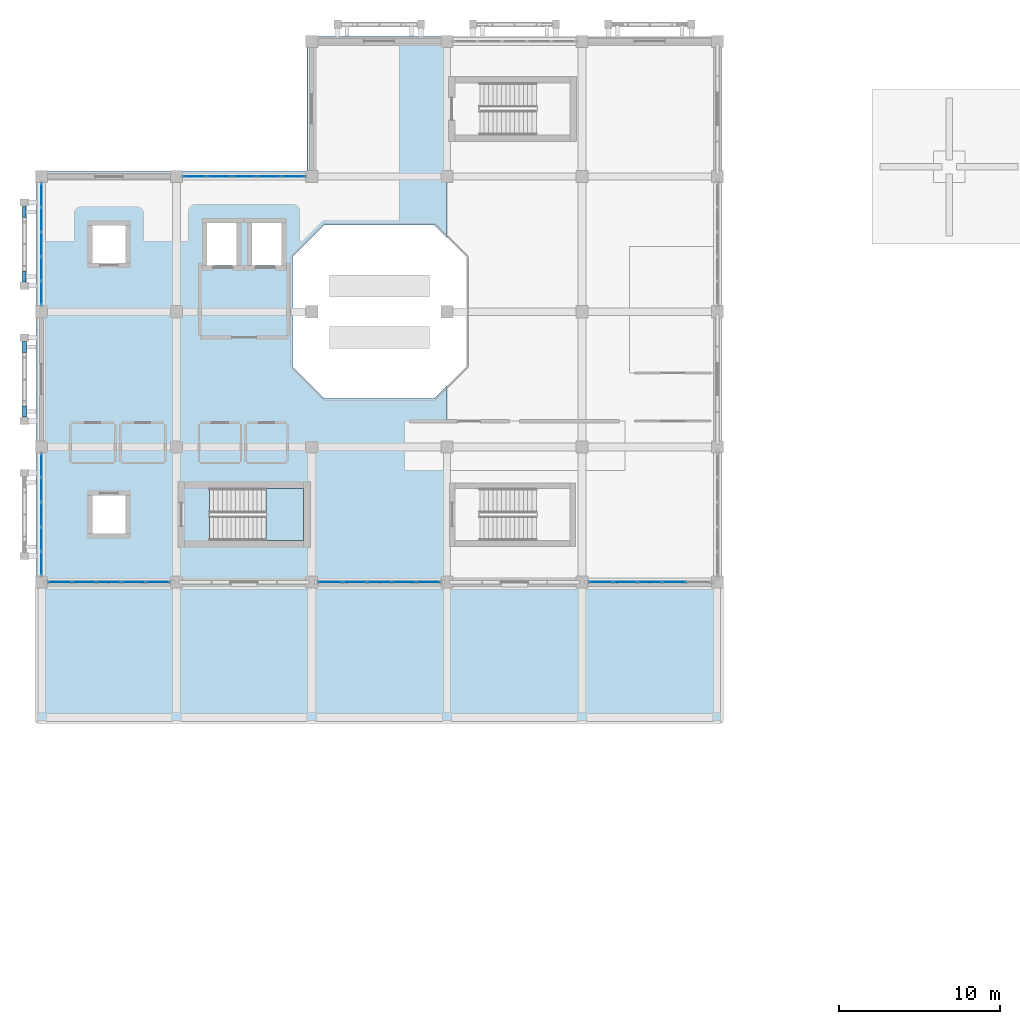
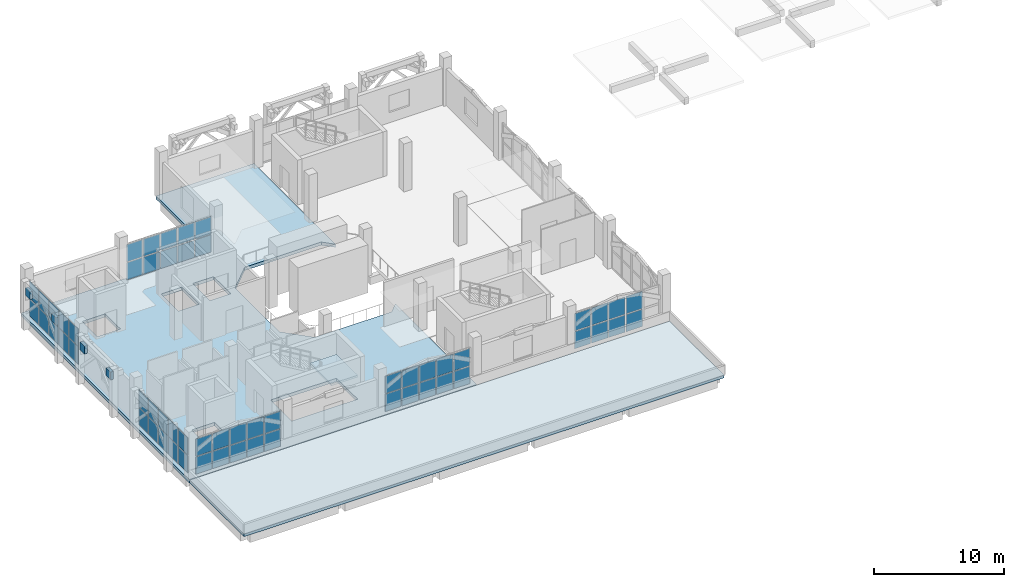
# One storey, part 20 of 30: 62 plates, 3 slabs, 7 elements without a shape of their own.
"""IFC4 building model written with IfcOpenShell, lengths in metres."""

from ifc_helpers import new_model, si_unit, direction, frame, origin, origin_2d, place, context, subcontext, project, spatial, polyline, rectangle, outline, extrude, material, layer, layer_set, type_object, element, aggregate, save


model = new_model("IFC4")

# Units and contexts
model_context = context("Model", 3, precision=1e-05, world=origin(), true_north=direction((0.0, 1.0)))
body_context = subcontext(model_context, "Body", "Model", "MODEL_VIEW")
ifc_project = project(units=[si_unit("LENGTHUNIT", "METRE"), si_unit("AREAUNIT", "SQUARE_METRE"), si_unit("VOLUMEUNIT", "CUBIC_METRE"), si_unit("PLANEANGLEUNIT", "RADIAN"), si_unit("MASSUNIT", "GRAM", prefix="KILO")], contexts=[model_context])

# Site, building, storey
site_placement = place(None, origin())
site = spatial("IfcSite", under=ifc_project, at=site_placement, CompositionType="ELEMENT")
building_placement = place(site_placement, origin())
building = spatial("IfcBuilding", under=site, at=building_placement, Name="Xazarin Passage Department Store", CompositionType="ELEMENT")
storey_placement = place(building_placement, frame((0.0, 0.0, 23.39990234375)))
storey = spatial("IfcBuildingStorey", under=building, at=storey_placement, Name="L05", CompositionType="ELEMENT", Elevation=23.39990234375)

# Curtain wall, plates
ifc_material_1 = material(Name="Bronze anodised aluminium", Category="aluminium")
ifc_layer_1 = layer(ifc_material_1, 0.199951171875)
ifc_layer_set_1 = layer_set([ifc_layer_1], Name="Bronze anodised aluminium")
curtain_wall_type = type_object("IfcCurtainWallType", Name="ARC-CW-VIT2", PredefinedType="NOTDEFINED", material=ifc_layer_set_1)
curtain_wall_1_placement = place(storey_placement, origin())
curtain_wall_1 = element("IfcCurtainWall", 1, at=curtain_wall_1_placement, inside=storey, type_object=curtain_wall_type, Name="L05 V1 Curtain Wall 076", PredefinedType="NOTDEFINED")
ifc_material_2 = material(Name="Low-E laminated safety glass", Category="glass")
ifc_layer_2 = layer(ifc_material_2, 0.031982421875)
ifc_layer_set_2 = layer_set([ifc_layer_2], Name="Low-E laminated safety glass")
plate_type_1 = type_object("IfcPlateType", Name="ARC-CWP-GLZ32", PredefinedType="CURTAIN_PANEL", material=ifc_layer_set_2)
plate_1_placement = place(storey_placement, frame((1.15869140625, 76.39990234375, 0.0751953125), z_axis=(0.0, 0.0, 1.0), x_axis=(1.0, 0.0, 0.0)))
plate_1 = element("IfcPlate", 2, at=plate_1_placement, type_object=plate_type_1, Name="CW2 panel 1.1", PredefinedType="CURTAIN_PANEL", context=body_context, shape_type="SweptSolid", body=[
    extrude(rectangle(XDim=1.41748046875, YDim=0.031982421875, at=origin_2d()), origin(), (0.0, 0.0, 1.0), 1.612548828125),
])
plate_2_placement = place(storey_placement, frame((1.15869140625, 76.39990234375, 1.7626953125), z_axis=(0.0, 0.0, 1.0), x_axis=(1.0, 0.0, 0.0)))
plate_2 = element("IfcPlate", 3, at=plate_2_placement, type_object=plate_type_1, Name="CW2 panel 1.2", PredefinedType="CURTAIN_PANEL", context=body_context, shape_type="SweptSolid", body=[
    extrude(rectangle(XDim=1.41748046875, YDim=0.031982421875, at=origin_2d()), origin(), (0.0, 0.0, 1.0), 1.612548828125),
])
plate_3_placement = place(storey_placement, frame((2.669921875, 76.39990234375, 0.0751953125), z_axis=(0.0, 0.0, 1.0), x_axis=(1.0, 0.0, 0.0)))
plate_3 = element("IfcPlate", 4, at=plate_3_placement, type_object=plate_type_1, Name="CW2 panel 2.1", PredefinedType="CURTAIN_PANEL", context=body_context, shape_type="SweptSolid", body=[
    extrude(rectangle(XDim=1.455078125, YDim=0.031982421875, at=origin_2d()), origin(), (0.0, 0.0, 1.0), 1.612548828125),
])
plate_4_placement = place(storey_placement, frame((2.669921875, 76.39990234375, 1.7626953125), z_axis=(0.0, 0.0, 1.0), x_axis=(1.0, 0.0, 0.0)))
plate_4 = element("IfcPlate", 5, at=plate_4_placement, type_object=plate_type_1, Name="CW2 panel 2.2", PredefinedType="CURTAIN_PANEL", context=body_context, shape_type="SweptSolid", body=[
    extrude(rectangle(XDim=1.455078125, YDim=0.031982421875, at=origin_2d()), origin(), (0.0, 0.0, 1.0), 1.612548828125),
])
plate_5_placement = place(storey_placement, frame((4.199951171875, 76.39990234375, 0.0751953125), z_axis=(0.0, 0.0, 1.0), x_axis=(1.0, 0.0, 0.0)))
plate_5 = element("IfcPlate", 6, at=plate_5_placement, type_object=plate_type_1, Name="CW2 panel 3.1", PredefinedType="CURTAIN_PANEL", context=body_context, shape_type="SweptSolid", body=[
    extrude(rectangle(XDim=1.455078125, YDim=0.031982421875, at=origin_2d()), origin(), (0.0, 0.0, 1.0), 1.612548828125),
])
plate_6_placement = place(storey_placement, frame((4.199951171875, 76.39990234375, 1.7626953125), z_axis=(0.0, 0.0, 1.0), x_axis=(1.0, 0.0, 0.0)))
plate_6 = element("IfcPlate", 7, at=plate_6_placement, type_object=plate_type_1, Name="CW2 panel 3.2", PredefinedType="CURTAIN_PANEL", context=body_context, shape_type="SweptSolid", body=[
    extrude(rectangle(XDim=1.455078125, YDim=0.031982421875, at=origin_2d()), origin(), (0.0, 0.0, 1.0), 1.612548828125),
])
plate_7_placement = place(storey_placement, frame((5.72998046875, 76.39990234375, 0.0751953125), z_axis=(0.0, 0.0, 1.0), x_axis=(1.0, 0.0, 0.0)))
plate_7 = element("IfcPlate", 8, at=plate_7_placement, type_object=plate_type_1, Name="CW2 panel 4.1", PredefinedType="CURTAIN_PANEL", context=body_context, shape_type="SweptSolid", body=[
    extrude(rectangle(XDim=1.455078125, YDim=0.031982421875, at=origin_2d()), origin(), (0.0, 0.0, 1.0), 1.612548828125),
])
plate_8_placement = place(storey_placement, frame((5.72998046875, 76.39990234375, 1.7626953125), z_axis=(0.0, 0.0, 1.0), x_axis=(1.0, 0.0, 0.0)))
plate_8 = element("IfcPlate", 9, at=plate_8_placement, type_object=plate_type_1, Name="CW2 panel 4.2", PredefinedType="CURTAIN_PANEL", context=body_context, shape_type="SweptSolid", body=[
    extrude(rectangle(XDim=1.455078125, YDim=0.031982421875, at=origin_2d()), origin(), (0.0, 0.0, 1.0), 1.612548828125),
])
plate_9_placement = place(storey_placement, frame((7.2412109375, 76.39990234375, 0.0751953125), z_axis=(0.0, 0.0, 1.0), x_axis=(1.0, 0.0, 0.0)))
plate_9 = element("IfcPlate", 10, at=plate_9_placement, type_object=plate_type_1, Name="CW2 panel 5.1", PredefinedType="CURTAIN_PANEL", context=body_context, shape_type="SweptSolid", body=[
    extrude(rectangle(XDim=1.41748046875, YDim=0.031982421875, at=origin_2d()), origin(), (0.0, 0.0, 1.0), 1.612548828125),
])
plate_10_placement = place(storey_placement, frame((7.2412109375, 76.39990234375, 1.7626953125), z_axis=(0.0, 0.0, 1.0), x_axis=(1.0, 0.0, 0.0)))
plate_10 = element("IfcPlate", 11, at=plate_10_placement, type_object=plate_type_1, Name="CW2 panel 5.2", PredefinedType="CURTAIN_PANEL", context=body_context, shape_type="SweptSolid", body=[
    extrude(rectangle(XDim=1.41748046875, YDim=0.031982421875, at=origin_2d()), origin(), (0.0, 0.0, 1.0), 1.612548828125),
])
aggregate(curtain_wall_1, [plate_1, plate_2, plate_3, plate_4, plate_5, plate_6, plate_7, plate_8, plate_9, plate_10])

curtain_wall_2_placement = place(storey_placement, origin())
curtain_wall_2 = element("IfcCurtainWall", 12, at=curtain_wall_2_placement, inside=storey, type_object=curtain_wall_type, Name="L05 V1 Curtain Wall 077", PredefinedType="NOTDEFINED")
plate_11_placement = place(storey_placement, frame((17.958740234375, 76.39990234375, 0.0751953125), z_axis=(0.0, 0.0, 1.0), x_axis=(1.0, 0.0, 0.0)))
plate_11 = element("IfcPlate", 13, at=plate_11_placement, type_object=plate_type_1, Name="CW2 panel 1.1", PredefinedType="CURTAIN_PANEL", context=body_context, shape_type="SweptSolid", body=[
    extrude(rectangle(XDim=1.41748046875, YDim=0.031982421875, at=origin_2d()), origin(), (0.0, 0.0, 1.0), 1.612548828125),
])
plate_12_placement = place(storey_placement, frame((17.958740234375, 76.39990234375, 1.7626953125), z_axis=(0.0, 0.0, 1.0), x_axis=(1.0, 0.0, 0.0)))
plate_12 = element("IfcPlate", 14, at=plate_12_placement, type_object=plate_type_1, Name="CW2 panel 1.2", PredefinedType="CURTAIN_PANEL", context=body_context, shape_type="SweptSolid", body=[
    extrude(rectangle(XDim=1.41748046875, YDim=0.031982421875, at=origin_2d()), origin(), (0.0, 0.0, 1.0), 1.612548828125),
])
plate_13_placement = place(storey_placement, frame((19.469970703125, 76.39990234375, 0.0751953125), z_axis=(0.0, 0.0, 1.0), x_axis=(1.0, 0.0, 0.0)))
plate_13 = element("IfcPlate", 15, at=plate_13_placement, type_object=plate_type_1, Name="CW2 panel 2.1", PredefinedType="CURTAIN_PANEL", context=body_context, shape_type="SweptSolid", body=[
    extrude(rectangle(XDim=1.455078125, YDim=0.031982421875, at=origin_2d()), origin(), (0.0, 0.0, 1.0), 1.612548828125),
])
plate_14_placement = place(storey_placement, frame((19.469970703125, 76.39990234375, 1.7626953125), z_axis=(0.0, 0.0, 1.0), x_axis=(1.0, 0.0, 0.0)))
plate_14 = element("IfcPlate", 16, at=plate_14_placement, type_object=plate_type_1, Name="CW2 panel 2.2", PredefinedType="CURTAIN_PANEL", context=body_context, shape_type="SweptSolid", body=[
    extrude(rectangle(XDim=1.455078125, YDim=0.031982421875, at=origin_2d()), origin(), (0.0, 0.0, 1.0), 1.612548828125),
])
plate_15_placement = place(storey_placement, frame((21.0, 76.39990234375, 0.0751953125), z_axis=(0.0, 0.0, 1.0), x_axis=(1.0, 0.0, 0.0)))
plate_15 = element("IfcPlate", 17, at=plate_15_placement, type_object=plate_type_1, Name="CW2 panel 3.1", PredefinedType="CURTAIN_PANEL", context=body_context, shape_type="SweptSolid", body=[
    extrude(rectangle(XDim=1.455078125, YDim=0.031982421875, at=origin_2d()), origin(), (0.0, 0.0, 1.0), 1.612548828125),
])
plate_16_placement = place(storey_placement, frame((21.0, 76.39990234375, 1.7626953125), z_axis=(0.0, 0.0, 1.0), x_axis=(1.0, 0.0, 0.0)))
plate_16 = element("IfcPlate", 18, at=plate_16_placement, type_object=plate_type_1, Name="CW2 panel 3.2", PredefinedType="CURTAIN_PANEL", context=body_context, shape_type="SweptSolid", body=[
    extrude(rectangle(XDim=1.455078125, YDim=0.031982421875, at=origin_2d()), origin(), (0.0, 0.0, 1.0), 1.612548828125),
])
plate_17_placement = place(storey_placement, frame((22.530029296875, 76.39990234375, 0.0751953125), z_axis=(0.0, 0.0, 1.0), x_axis=(1.0, 0.0, 0.0)))
plate_17 = element("IfcPlate", 19, at=plate_17_placement, type_object=plate_type_1, Name="CW2 panel 4.1", PredefinedType="CURTAIN_PANEL", context=body_context, shape_type="SweptSolid", body=[
    extrude(rectangle(XDim=1.455078125, YDim=0.031982421875, at=origin_2d()), origin(), (0.0, 0.0, 1.0), 1.612548828125),
])
plate_18_placement = place(storey_placement, frame((22.530029296875, 76.39990234375, 1.7626953125), z_axis=(0.0, 0.0, 1.0), x_axis=(1.0, 0.0, 0.0)))
plate_18 = element("IfcPlate", 20, at=plate_18_placement, type_object=plate_type_1, Name="CW2 panel 4.2", PredefinedType="CURTAIN_PANEL", context=body_context, shape_type="SweptSolid", body=[
    extrude(rectangle(XDim=1.455078125, YDim=0.031982421875, at=origin_2d()), origin(), (0.0, 0.0, 1.0), 1.612548828125),
])
plate_19_placement = place(storey_placement, frame((24.041259765625, 76.39990234375, 0.0751953125), z_axis=(0.0, 0.0, 1.0), x_axis=(1.0, 0.0, 0.0)))
plate_19 = element("IfcPlate", 21, at=plate_19_placement, type_object=plate_type_1, Name="CW2 panel 5.1", PredefinedType="CURTAIN_PANEL", context=body_context, shape_type="SweptSolid", body=[
    extrude(rectangle(XDim=1.41748046875, YDim=0.031982421875, at=origin_2d()), origin(), (0.0, 0.0, 1.0), 1.612548828125),
])
plate_20_placement = place(storey_placement, frame((24.041259765625, 76.39990234375, 1.7626953125), z_axis=(0.0, 0.0, 1.0), x_axis=(1.0, 0.0, 0.0)))
plate_20 = element("IfcPlate", 22, at=plate_20_placement, type_object=plate_type_1, Name="CW2 panel 5.2", PredefinedType="CURTAIN_PANEL", context=body_context, shape_type="SweptSolid", body=[
    extrude(rectangle(XDim=1.41748046875, YDim=0.031982421875, at=origin_2d()), origin(), (0.0, 0.0, 1.0), 1.612548828125),
])
aggregate(curtain_wall_2, [plate_11, plate_12, plate_13, plate_14, plate_15, plate_16, plate_17, plate_18, plate_19, plate_20])

curtain_wall_3_placement = place(storey_placement, origin())
curtain_wall_3 = element("IfcCurtainWall", 23, at=curtain_wall_3_placement, inside=storey, type_object=curtain_wall_type, Name="L05 V1 Curtain Wall 078", PredefinedType="NOTDEFINED")
plate_21_placement = place(storey_placement, frame((34.7587890625, 76.39990234375, 0.0751953125), z_axis=(0.0, 0.0, 1.0), x_axis=(1.0, 0.0, 0.0)))
plate_21 = element("IfcPlate", 24, at=plate_21_placement, type_object=plate_type_1, Name="CW2 panel 1.1", PredefinedType="CURTAIN_PANEL", context=body_context, shape_type="SweptSolid", body=[
    extrude(rectangle(XDim=1.41748046875, YDim=0.031982421875, at=origin_2d()), origin(), (0.0, 0.0, 1.0), 1.612548828125),
])
plate_22_placement = place(storey_placement, frame((34.7587890625, 76.39990234375, 1.7626953125), z_axis=(0.0, 0.0, 1.0), x_axis=(1.0, 0.0, 0.0)))
plate_22 = element("IfcPlate", 25, at=plate_22_placement, type_object=plate_type_1, Name="CW2 panel 1.2", PredefinedType="CURTAIN_PANEL", context=body_context, shape_type="SweptSolid", body=[
    extrude(rectangle(XDim=1.41748046875, YDim=0.031982421875, at=origin_2d()), origin(), (0.0, 0.0, 1.0), 1.612548828125),
])
plate_23_placement = place(storey_placement, frame((36.27001953125, 76.39990234375, 0.0751953125), z_axis=(0.0, 0.0, 1.0), x_axis=(1.0, 0.0, 0.0)))
plate_23 = element("IfcPlate", 26, at=plate_23_placement, type_object=plate_type_1, Name="CW2 panel 2.1", PredefinedType="CURTAIN_PANEL", context=body_context, shape_type="SweptSolid", body=[
    extrude(rectangle(XDim=1.455078125, YDim=0.031982421875, at=origin_2d()), origin(), (0.0, 0.0, 1.0), 1.612548828125),
])
plate_24_placement = place(storey_placement, frame((36.27001953125, 76.39990234375, 1.7626953125), z_axis=(0.0, 0.0, 1.0), x_axis=(1.0, 0.0, 0.0)))
plate_24 = element("IfcPlate", 27, at=plate_24_placement, type_object=plate_type_1, Name="CW2 panel 2.2", PredefinedType="CURTAIN_PANEL", context=body_context, shape_type="SweptSolid", body=[
    extrude(rectangle(XDim=1.455078125, YDim=0.031982421875, at=origin_2d()), origin(), (0.0, 0.0, 1.0), 1.612548828125),
])
plate_25_placement = place(storey_placement, frame((37.800048828125, 76.39990234375, 0.0751953125), z_axis=(0.0, 0.0, 1.0), x_axis=(1.0, 0.0, 0.0)))
plate_25 = element("IfcPlate", 28, at=plate_25_placement, type_object=plate_type_1, Name="CW2 panel 3.1", PredefinedType="CURTAIN_PANEL", context=body_context, shape_type="SweptSolid", body=[
    extrude(rectangle(XDim=1.455078125, YDim=0.031982421875, at=origin_2d()), origin(), (0.0, 0.0, 1.0), 1.612548828125),
])
plate_26_placement = place(storey_placement, frame((37.800048828125, 76.39990234375, 1.7626953125), z_axis=(0.0, 0.0, 1.0), x_axis=(1.0, 0.0, 0.0)))
plate_26 = element("IfcPlate", 29, at=plate_26_placement, type_object=plate_type_1, Name="CW2 panel 3.2", PredefinedType="CURTAIN_PANEL", context=body_context, shape_type="SweptSolid", body=[
    extrude(rectangle(XDim=1.455078125, YDim=0.031982421875, at=origin_2d()), origin(), (0.0, 0.0, 1.0), 1.612548828125),
])
plate_27_placement = place(storey_placement, frame((39.330078125, 76.39990234375, 0.0751953125), z_axis=(0.0, 0.0, 1.0), x_axis=(1.0, 0.0, 0.0)))
plate_27 = element("IfcPlate", 30, at=plate_27_placement, type_object=plate_type_1, Name="CW2 panel 4.1", PredefinedType="CURTAIN_PANEL", context=body_context, shape_type="SweptSolid", body=[
    extrude(rectangle(XDim=1.455078125, YDim=0.031982421875, at=origin_2d()), origin(), (0.0, 0.0, 1.0), 1.612548828125),
])
plate_28_placement = place(storey_placement, frame((39.330078125, 76.39990234375, 1.7626953125), z_axis=(0.0, 0.0, 1.0), x_axis=(1.0, 0.0, 0.0)))
plate_28 = element("IfcPlate", 31, at=plate_28_placement, type_object=plate_type_1, Name="CW2 panel 4.2", PredefinedType="CURTAIN_PANEL", context=body_context, shape_type="SweptSolid", body=[
    extrude(rectangle(XDim=1.455078125, YDim=0.031982421875, at=origin_2d()), origin(), (0.0, 0.0, 1.0), 1.612548828125),
])
aggregate(curtain_wall_3, [plate_21, plate_22, plate_23, plate_24, plate_25, plate_26, plate_27, plate_28])

curtain_wall_4_placement = place(storey_placement, origin())
curtain_wall_4 = element("IfcCurtainWall", 32, at=curtain_wall_4_placement, inside=storey, type_object=curtain_wall_type, Name="L05 V1 Curtain Wall 079", PredefinedType="NOTDEFINED")
plate_29_placement = place(storey_placement, frame((9.558837890625, 101.60009765625, 0.0751953125), z_axis=(0.0, 0.0, 1.0), x_axis=(1.0, 0.0, 0.0)))
plate_29 = element("IfcPlate", 33, at=plate_29_placement, type_object=plate_type_1, Name="CW2 panel 1.1", PredefinedType="CURTAIN_PANEL", context=body_context, shape_type="SweptSolid", body=[
    extrude(rectangle(XDim=1.41748046875, YDim=0.031982421875, at=origin_2d()), origin(), (0.0, 0.0, 1.0), 1.612548828125),
])
plate_30_placement = place(storey_placement, frame((9.558837890625, 101.60009765625, 1.7626953125), z_axis=(0.0, 0.0, 1.0), x_axis=(1.0, 0.0, 0.0)))
plate_30 = element("IfcPlate", 34, at=plate_30_placement, type_object=plate_type_1, Name="CW2 panel 1.2", PredefinedType="CURTAIN_PANEL", context=body_context, shape_type="SweptSolid", body=[
    extrude(rectangle(XDim=1.41748046875, YDim=0.031982421875, at=origin_2d()), origin(), (0.0, 0.0, 1.0), 1.612548828125),
])
plate_31_placement = place(storey_placement, frame((11.070068359375, 101.60009765625, 0.0751953125), z_axis=(0.0, 0.0, 1.0), x_axis=(1.0, 0.0, 0.0)))
plate_31 = element("IfcPlate", 35, at=plate_31_placement, type_object=plate_type_1, Name="CW2 panel 2.1", PredefinedType="CURTAIN_PANEL", context=body_context, shape_type="SweptSolid", body=[
    extrude(rectangle(XDim=1.455078125, YDim=0.031982421875, at=origin_2d()), origin(), (0.0, 0.0, 1.0), 1.612548828125),
])
plate_32_placement = place(storey_placement, frame((11.070068359375, 101.60009765625, 1.7626953125), z_axis=(0.0, 0.0, 1.0), x_axis=(1.0, 0.0, 0.0)))
plate_32 = element("IfcPlate", 36, at=plate_32_placement, type_object=plate_type_1, Name="CW2 panel 2.2", PredefinedType="CURTAIN_PANEL", context=body_context, shape_type="SweptSolid", body=[
    extrude(rectangle(XDim=1.455078125, YDim=0.031982421875, at=origin_2d()), origin(), (0.0, 0.0, 1.0), 1.612548828125),
])
plate_33_placement = place(storey_placement, frame((12.60009765625, 101.60009765625, 0.0751953125), z_axis=(0.0, 0.0, 1.0), x_axis=(1.0, 0.0, 0.0)))
plate_33 = element("IfcPlate", 37, at=plate_33_placement, type_object=plate_type_1, Name="CW2 panel 3.1", PredefinedType="CURTAIN_PANEL", context=body_context, shape_type="SweptSolid", body=[
    extrude(rectangle(XDim=1.455078125, YDim=0.031982421875, at=origin_2d()), origin(), (0.0, 0.0, 1.0), 1.612548828125),
])
plate_34_placement = place(storey_placement, frame((12.60009765625, 101.60009765625, 1.7626953125), z_axis=(0.0, 0.0, 1.0), x_axis=(1.0, 0.0, 0.0)))
plate_34 = element("IfcPlate", 38, at=plate_34_placement, type_object=plate_type_1, Name="CW2 panel 3.2", PredefinedType="CURTAIN_PANEL", context=body_context, shape_type="SweptSolid", body=[
    extrude(rectangle(XDim=1.455078125, YDim=0.031982421875, at=origin_2d()), origin(), (0.0, 0.0, 1.0), 1.612548828125),
])
plate_35_placement = place(storey_placement, frame((14.1298828125, 101.60009765625, 0.0751953125), z_axis=(0.0, 0.0, 1.0), x_axis=(1.0, 0.0, 0.0)))
plate_35 = element("IfcPlate", 39, at=plate_35_placement, type_object=plate_type_1, Name="CW2 panel 4.1", PredefinedType="CURTAIN_PANEL", context=body_context, shape_type="SweptSolid", body=[
    extrude(rectangle(XDim=1.455078125, YDim=0.031982421875, at=origin_2d()), origin(), (0.0, 0.0, 1.0), 1.612548828125),
])
plate_36_placement = place(storey_placement, frame((14.1298828125, 101.60009765625, 1.7626953125), z_axis=(0.0, 0.0, 1.0), x_axis=(1.0, 0.0, 0.0)))
plate_36 = element("IfcPlate", 40, at=plate_36_placement, type_object=plate_type_1, Name="CW2 panel 4.2", PredefinedType="CURTAIN_PANEL", context=body_context, shape_type="SweptSolid", body=[
    extrude(rectangle(XDim=1.455078125, YDim=0.031982421875, at=origin_2d()), origin(), (0.0, 0.0, 1.0), 1.612548828125),
])
plate_37_placement = place(storey_placement, frame((15.641357421875, 101.60009765625, 0.0751953125), z_axis=(0.0, 0.0, 1.0), x_axis=(1.0, 0.0, 0.0)))
plate_37 = element("IfcPlate", 41, at=plate_37_placement, type_object=plate_type_1, Name="CW2 panel 5.1", PredefinedType="CURTAIN_PANEL", context=body_context, shape_type="SweptSolid", body=[
    extrude(rectangle(XDim=1.41748046875, YDim=0.031982421875, at=origin_2d()), origin(), (0.0, 0.0, 1.0), 1.612548828125),
])
plate_38_placement = place(storey_placement, frame((15.641357421875, 101.60009765625, 1.7626953125), z_axis=(0.0, 0.0, 1.0), x_axis=(1.0, 0.0, 0.0)))
plate_38 = element("IfcPlate", 42, at=plate_38_placement, type_object=plate_type_1, Name="CW2 panel 5.2", PredefinedType="CURTAIN_PANEL", context=body_context, shape_type="SweptSolid", body=[
    extrude(rectangle(XDim=1.41748046875, YDim=0.031982421875, at=origin_2d()), origin(), (0.0, 0.0, 1.0), 1.612548828125),
])
aggregate(curtain_wall_4, [plate_29, plate_30, plate_31, plate_32, plate_33, plate_34, plate_35, plate_36, plate_37, plate_38])

curtain_wall_5_placement = place(storey_placement, origin())
curtain_wall_5 = element("IfcCurtainWall", 43, at=curtain_wall_5_placement, inside=storey, type_object=curtain_wall_type, Name="L05 V1 Curtain Wall 081", PredefinedType="NOTDEFINED")
plate_39_placement = place(storey_placement, frame((0.0, 77.558837890625, 0.0751953125), z_axis=(0.0, 0.0, 1.0), x_axis=(0.0, 1.0, 0.0)))
plate_39 = element("IfcPlate", 44, at=plate_39_placement, type_object=plate_type_1, Name="CW2 panel 1.1", PredefinedType="CURTAIN_PANEL", context=body_context, shape_type="SweptSolid", body=[
    extrude(rectangle(XDim=1.41748046875, YDim=0.031982421875, at=origin_2d()), origin(), (0.0, 0.0, 1.0), 1.612548828125),
])
plate_40_placement = place(storey_placement, frame((0.0, 77.558837890625, 1.7626953125), z_axis=(0.0, 0.0, 1.0), x_axis=(0.0, 1.0, 0.0)))
plate_40 = element("IfcPlate", 45, at=plate_40_placement, type_object=plate_type_1, Name="CW2 panel 1.2", PredefinedType="CURTAIN_PANEL", context=body_context, shape_type="SweptSolid", body=[
    extrude(rectangle(XDim=1.41748046875, YDim=0.031982421875, at=origin_2d()), origin(), (0.0, 0.0, 1.0), 1.612548828125),
])
plate_41_placement = place(storey_placement, frame((0.0, 79.070068359375, 0.0751953125), z_axis=(0.0, 0.0, 1.0), x_axis=(0.0, 1.0, 0.0)))
plate_41 = element("IfcPlate", 46, at=plate_41_placement, type_object=plate_type_1, Name="CW2 panel 2.1", PredefinedType="CURTAIN_PANEL", context=body_context, shape_type="SweptSolid", body=[
    extrude(rectangle(XDim=1.455078125, YDim=0.031982421875, at=origin_2d()), origin(), (0.0, 0.0, 1.0), 1.612548828125),
])
plate_42_placement = place(storey_placement, frame((0.0, 79.070068359375, 1.7626953125), z_axis=(0.0, 0.0, 1.0), x_axis=(0.0, 1.0, 0.0)))
plate_42 = element("IfcPlate", 47, at=plate_42_placement, type_object=plate_type_1, Name="CW2 panel 2.2", PredefinedType="CURTAIN_PANEL", context=body_context, shape_type="SweptSolid", body=[
    extrude(rectangle(XDim=1.455078125, YDim=0.031982421875, at=origin_2d()), origin(), (0.0, 0.0, 1.0), 1.612548828125),
])
plate_43_placement = place(storey_placement, frame((0.0, 80.60009765625, 0.0751953125), z_axis=(0.0, 0.0, 1.0), x_axis=(0.0, 1.0, 0.0)))
plate_43 = element("IfcPlate", 48, at=plate_43_placement, type_object=plate_type_1, Name="CW2 panel 3.1", PredefinedType="CURTAIN_PANEL", context=body_context, shape_type="SweptSolid", body=[
    extrude(rectangle(XDim=1.455078125, YDim=0.031982421875, at=origin_2d()), origin(), (0.0, 0.0, 1.0), 1.612548828125),
])
plate_44_placement = place(storey_placement, frame((0.0, 80.60009765625, 1.7626953125), z_axis=(0.0, 0.0, 1.0), x_axis=(0.0, 1.0, 0.0)))
plate_44 = element("IfcPlate", 49, at=plate_44_placement, type_object=plate_type_1, Name="CW2 panel 3.2", PredefinedType="CURTAIN_PANEL", context=body_context, shape_type="SweptSolid", body=[
    extrude(rectangle(XDim=1.455078125, YDim=0.031982421875, at=origin_2d()), origin(), (0.0, 0.0, 1.0), 1.612548828125),
])
plate_45_placement = place(storey_placement, frame((0.0, 82.1298828125, 0.0751953125), z_axis=(0.0, 0.0, 1.0), x_axis=(0.0, 1.0, 0.0)))
plate_45 = element("IfcPlate", 50, at=plate_45_placement, type_object=plate_type_1, Name="CW2 panel 4.1", PredefinedType="CURTAIN_PANEL", context=body_context, shape_type="SweptSolid", body=[
    extrude(rectangle(XDim=1.455078125, YDim=0.031982421875, at=origin_2d()), origin(), (0.0, 0.0, 1.0), 1.612548828125),
])
plate_46_placement = place(storey_placement, frame((0.0, 82.1298828125, 1.7626953125), z_axis=(0.0, 0.0, 1.0), x_axis=(0.0, 1.0, 0.0)))
plate_46 = element("IfcPlate", 51, at=plate_46_placement, type_object=plate_type_1, Name="CW2 panel 4.2", PredefinedType="CURTAIN_PANEL", context=body_context, shape_type="SweptSolid", body=[
    extrude(rectangle(XDim=1.455078125, YDim=0.031982421875, at=origin_2d()), origin(), (0.0, 0.0, 1.0), 1.612548828125),
])
plate_47_placement = place(storey_placement, frame((0.0, 83.641357421875, 0.0751953125), z_axis=(0.0, 0.0, 1.0), x_axis=(0.0, 1.0, 0.0)))
plate_47 = element("IfcPlate", 52, at=plate_47_placement, type_object=plate_type_1, Name="CW2 panel 5.1", PredefinedType="CURTAIN_PANEL", context=body_context, shape_type="SweptSolid", body=[
    extrude(rectangle(XDim=1.41748046875, YDim=0.031982421875, at=origin_2d()), origin(), (0.0, 0.0, 1.0), 1.612548828125),
])
plate_48_placement = place(storey_placement, frame((0.0, 83.641357421875, 1.7626953125), z_axis=(0.0, 0.0, 1.0), x_axis=(0.0, 1.0, 0.0)))
plate_48 = element("IfcPlate", 53, at=plate_48_placement, type_object=plate_type_1, Name="CW2 panel 5.2", PredefinedType="CURTAIN_PANEL", context=body_context, shape_type="SweptSolid", body=[
    extrude(rectangle(XDim=1.41748046875, YDim=0.031982421875, at=origin_2d()), origin(), (0.0, 0.0, 1.0), 1.612548828125),
])
aggregate(curtain_wall_5, [plate_39, plate_40, plate_41, plate_42, plate_43, plate_44, plate_45, plate_46, plate_47, plate_48])

curtain_wall_6_placement = place(storey_placement, origin())
curtain_wall_6 = element("IfcCurtainWall", 54, at=curtain_wall_6_placement, inside=storey, type_object=curtain_wall_type, Name="L05 V1 Curtain Wall 082", PredefinedType="NOTDEFINED")
plate_49_placement = place(storey_placement, frame((0.0, 94.358642578125, 0.0751953125), z_axis=(0.0, 0.0, 1.0), x_axis=(0.0, 1.0, 0.0)))
plate_49 = element("IfcPlate", 55, at=plate_49_placement, type_object=plate_type_1, Name="CW2 panel 1.1", PredefinedType="CURTAIN_PANEL", context=body_context, shape_type="SweptSolid", body=[
    extrude(rectangle(XDim=1.41748046875, YDim=0.031982421875, at=origin_2d()), origin(), (0.0, 0.0, 1.0), 1.612548828125),
])
plate_50_placement = place(storey_placement, frame((0.0, 94.358642578125, 1.7626953125), z_axis=(0.0, 0.0, 1.0), x_axis=(0.0, 1.0, 0.0)))
plate_50 = element("IfcPlate", 56, at=plate_50_placement, type_object=plate_type_1, Name="CW2 panel 1.2", PredefinedType="CURTAIN_PANEL", context=body_context, shape_type="SweptSolid", body=[
    extrude(rectangle(XDim=1.41748046875, YDim=0.031982421875, at=origin_2d()), origin(), (0.0, 0.0, 1.0), 1.612548828125),
])
plate_51_placement = place(storey_placement, frame((0.0, 95.8701171875, 0.0751953125), z_axis=(0.0, 0.0, 1.0), x_axis=(0.0, 1.0, 0.0)))
plate_51 = element("IfcPlate", 57, at=plate_51_placement, type_object=plate_type_1, Name="CW2 panel 2.1", PredefinedType="CURTAIN_PANEL", context=body_context, shape_type="SweptSolid", body=[
    extrude(rectangle(XDim=1.455078125, YDim=0.031982421875, at=origin_2d()), origin(), (0.0, 0.0, 1.0), 1.612548828125),
])
plate_52_placement = place(storey_placement, frame((0.0, 95.8701171875, 1.7626953125), z_axis=(0.0, 0.0, 1.0), x_axis=(0.0, 1.0, 0.0)))
plate_52 = element("IfcPlate", 58, at=plate_52_placement, type_object=plate_type_1, Name="CW2 panel 2.2", PredefinedType="CURTAIN_PANEL", context=body_context, shape_type="SweptSolid", body=[
    extrude(rectangle(XDim=1.455078125, YDim=0.031982421875, at=origin_2d()), origin(), (0.0, 0.0, 1.0), 1.612548828125),
])
plate_53_placement = place(storey_placement, frame((0.0, 97.39990234375, 0.0751953125), z_axis=(0.0, 0.0, 1.0), x_axis=(0.0, 1.0, 0.0)))
plate_53 = element("IfcPlate", 59, at=plate_53_placement, type_object=plate_type_1, Name="CW2 panel 3.1", PredefinedType="CURTAIN_PANEL", context=body_context, shape_type="SweptSolid", body=[
    extrude(rectangle(XDim=1.455078125, YDim=0.031982421875, at=origin_2d()), origin(), (0.0, 0.0, 1.0), 1.612548828125),
])
plate_54_placement = place(storey_placement, frame((0.0, 97.39990234375, 1.7626953125), z_axis=(0.0, 0.0, 1.0), x_axis=(0.0, 1.0, 0.0)))
plate_54 = element("IfcPlate", 60, at=plate_54_placement, type_object=plate_type_1, Name="CW2 panel 3.2", PredefinedType="CURTAIN_PANEL", context=body_context, shape_type="SweptSolid", body=[
    extrude(rectangle(XDim=1.455078125, YDim=0.031982421875, at=origin_2d()), origin(), (0.0, 0.0, 1.0), 1.612548828125),
])
plate_55_placement = place(storey_placement, frame((0.0, 98.929931640625, 0.0751953125), z_axis=(0.0, 0.0, 1.0), x_axis=(0.0, 1.0, 0.0)))
plate_55 = element("IfcPlate", 61, at=plate_55_placement, type_object=plate_type_1, Name="CW2 panel 4.1", PredefinedType="CURTAIN_PANEL", context=body_context, shape_type="SweptSolid", body=[
    extrude(rectangle(XDim=1.455078125, YDim=0.031982421875, at=origin_2d()), origin(), (0.0, 0.0, 1.0), 1.612548828125),
])
plate_56_placement = place(storey_placement, frame((0.0, 98.929931640625, 1.7626953125), z_axis=(0.0, 0.0, 1.0), x_axis=(0.0, 1.0, 0.0)))
plate_56 = element("IfcPlate", 62, at=plate_56_placement, type_object=plate_type_1, Name="CW2 panel 4.2", PredefinedType="CURTAIN_PANEL", context=body_context, shape_type="SweptSolid", body=[
    extrude(rectangle(XDim=1.455078125, YDim=0.031982421875, at=origin_2d()), origin(), (0.0, 0.0, 1.0), 1.612548828125),
])
plate_57_placement = place(storey_placement, frame((0.0, 100.441162109375, 0.0751953125), z_axis=(0.0, 0.0, 1.0), x_axis=(0.0, 1.0, 0.0)))
plate_57 = element("IfcPlate", 63, at=plate_57_placement, type_object=plate_type_1, Name="CW2 panel 5.1", PredefinedType="CURTAIN_PANEL", context=body_context, shape_type="SweptSolid", body=[
    extrude(rectangle(XDim=1.41748046875, YDim=0.031982421875, at=origin_2d()), origin(), (0.0, 0.0, 1.0), 1.612548828125),
])
plate_58_placement = place(storey_placement, frame((0.0, 100.441162109375, 1.7626953125), z_axis=(0.0, 0.0, 1.0), x_axis=(0.0, 1.0, 0.0)))
plate_58 = element("IfcPlate", 64, at=plate_58_placement, type_object=plate_type_1, Name="CW2 panel 5.2", PredefinedType="CURTAIN_PANEL", context=body_context, shape_type="SweptSolid", body=[
    extrude(rectangle(XDim=1.41748046875, YDim=0.031982421875, at=origin_2d()), origin(), (0.0, 0.0, 1.0), 1.612548828125),
])
aggregate(curtain_wall_6, [plate_49, plate_50, plate_51, plate_52, plate_53, plate_54, plate_55, plate_56, plate_57, plate_58])

# Plates
ifc_material_3 = material(Name="Precast concrete C40/50", Category="concrete")
ifc_layer_3 = layer(ifc_material_3, 0.219970703125)
ifc_layer_set_3 = layer_set([ifc_layer_3], Name="Precast concrete C40/50")
plate_type_2 = type_object("IfcPlateType", Name="ARC-PLT-SCR-15", PredefinedType="USERDEFINED", material=ifc_layer_set_3)
for number, where, z_axis, x_axis, name in (
    (65, (-1.050048828125, 95.39990234375, 3.26025390625), (0.0, 0.0, 1.0), (0.0, 1.0, 0.0), "L05 V1 Arch Spandrel Tympanum 0135"),
    (66, (-1.050048828125, 99.39990234375, 3.26025390625), (0.0, 0.0, 1.0), (0.0, 1.0, 0.0), "L05 V1 Arch Spandrel Tympanum 0136"),
):
    element("IfcPlate", number, at=place(storey_placement, frame(where, z_axis=z_axis, x_axis=x_axis)), inside=storey, type_object=plate_type_2, Name=name, ObjectType="SCREEN PANEL", PredefinedType="USERDEFINED", context=body_context, shape_type="SweptSolid", body=[
        extrude(rectangle(XDim=0.679931640625, YDim=0.219970703125, at=origin_2d()), origin(), (0.0, 0.0, 1.0), 0.719970703125),
    ])
ifc_layer_4 = layer(ifc_material_3, 0.260009765625)
ifc_layer_set_4 = layer_set([ifc_layer_4], Name="Precast concrete C40/50")
plate_type_3 = type_object("IfcPlateType", Name="ARC-PLT-SCR-19", PredefinedType="USERDEFINED", material=ifc_layer_set_4)
for number, where, z_axis, x_axis, name in (
    (67, (-1.050048828125, 87.0, 3.26025390625), (0.0, 0.0, 1.0), (0.0, 1.0, 0.0), "L05 V1 Arch Spandrel Tympanum 0119"),
    (68, (-1.050048828125, 91.0, 3.26025390625), (0.0, 0.0, 1.0), (0.0, 1.0, 0.0), "L05 V1 Arch Spandrel Tympanum 0120"),
):
    element("IfcPlate", number, at=place(storey_placement, frame(where, z_axis=z_axis, x_axis=x_axis)), inside=storey, type_object=plate_type_3, Name=name, ObjectType="SCREEN PANEL", PredefinedType="USERDEFINED", context=body_context, shape_type="SweptSolid", body=[
        extrude(rectangle(XDim=0.679931640625, YDim=0.260009765625, at=origin_2d()), origin(), (0.0, 0.0, 1.0), 0.719970703125),
    ])

# Slab
ifc_material_4 = material(Name="Concrete C35/45", Category="concrete")
ifc_layer_5 = layer(ifc_material_4, 0.300048828125)
ifc_layer_set_5 = layer_set([ifc_layer_5], Name="Concrete C35/45")
slab_type_1 = type_object("IfcSlabType", Name="STR-SLB-FLR300", PredefinedType="FLOOR", material=ifc_layer_set_5)
slab_1_placement = place(storey_placement, frame((0.0, 0.0, -0.2998046875)))
element("IfcSlab", 69, at=slab_1_placement, inside=storey, type_object=slab_type_1, Name="L05 V1 Suspended Floor Slab Bay 1", PredefinedType="FLOOR", context=body_context, shape_type="SweptSolid", body=[
    extrude(outline(polyline([(25.18994140625, 76.10009765625), (25.18994140625, 88.590087890625), (24.39990234375, 87.800048828125), (17.60009765625, 87.800048828125), (15.60009765625, 89.800048828125), (15.60009765625, 96.60009765625), (17.60009765625, 98.60009765625), (24.39990234375, 98.60009765625), (25.18994140625, 97.81005859375), (25.18994140625, 110.300048828125), (16.5, 110.300048828125), (16.5, 101.89990234375), (-0.300048828125, 101.89990234375), (-0.300048828125, 76.10009765625), (25.18994140625, 76.10009765625)]), holes=[polyline([(16.300048828125, 82.219970703125), (16.300048828125, 78.97998046875), (10.451904296875, 78.97998046875), (10.451904296875, 82.219970703125), (16.300048828125, 82.219970703125)]), polyline([(13.080078125, 98.719970703125), (14.919921875, 98.719970703125), (14.919921875, 96.080078125), (13.080078125, 96.080078125), (13.080078125, 98.719970703125)]), polyline([(10.280029296875, 98.719970703125), (12.1201171875, 98.719970703125), (12.1201171875, 96.080078125), (10.280029296875, 96.080078125), (10.280029296875, 98.719970703125)]), polyline([(3.179931640625, 81.77001953125), (5.219970703125, 81.77001953125), (5.219970703125, 79.429931640625), (3.179931640625, 79.429931640625), (3.179931640625, 81.77001953125)]), polyline([(3.179931640625, 98.570068359375), (5.219970703125, 98.570068359375), (5.219970703125, 96.22998046875), (3.179931640625, 96.22998046875), (3.179931640625, 98.570068359375)])]), origin(), (0.0, 0.0, 1.0), 0.2998046875),
])

# Stair, slab
stair_type = type_object("IfcStairType", Name="ARC-ST-TYP", PredefinedType="HALF_TURN_STAIR", material=ifc_material_4)
stair_placement = place(storey_placement, origin())
stair = element("IfcStair", 70, at=stair_placement, inside=storey, type_object=stair_type, Name="L05 Exit Stair ST1", PredefinedType="HALF_TURN_STAIR")
ifc_layer_6 = layer(ifc_material_4, 0.199951171875)
ifc_layer_set_6 = layer_set([ifc_layer_6], Name="Concrete C35/45")
slab_type_2 = type_object("IfcSlabType", Name="STR-SLB-LND200", PredefinedType="LANDING", material=ifc_layer_set_6)
slab_2_placement = place(storey_placement, frame((0.0, 0.0, 2.050048828125)))
slab_2 = element("IfcSlab", 71, at=slab_2_placement, type_object=slab_type_2, Name="ST1 landing 1", PredefinedType="LANDING", context=body_context, shape_type="SweptSolid", body=[
    extrude(outline(polyline([(13.949951171875, 78.97998046875), (16.300048828125, 78.97998046875), (16.300048828125, 82.219970703125), (13.949951171875, 82.219970703125), (13.949951171875, 78.97998046875)])), origin(), (0.0, 0.0, 1.0), 0.199951171875),
])
aggregate(stair, [slab_2])

# Slab
ifc_layer_7 = layer(ifc_material_4, 0.260009765625)
ifc_layer_set_7 = layer_set([ifc_layer_7], Name="Concrete C35/45")
slab_type_3 = type_object("IfcSlabType", Name="STR-SLB-RF260", PredefinedType="ROOF", material=ifc_layer_set_7)
slab_3_placement = place(storey_placement, frame((0.0, 0.0, -0.260009765625)))
element("IfcSlab", 72, at=slab_3_placement, inside=storey, type_object=slab_type_3, Name="L05 V1 Setback Roof Slab 1", PredefinedType="ROOF", context=body_context, shape_type="SweptSolid", body=[
    extrude(outline(polyline([(42.300048828125, 76.050048828125), (-0.300048828125, 76.050048828125), (-0.300048828125, 67.699951171875), (42.300048828125, 67.699951171875), (42.300048828125, 76.050048828125)])), origin(), (0.0, 0.0, 1.0), 0.260009765625),
])

save(model, "model.ifc")
